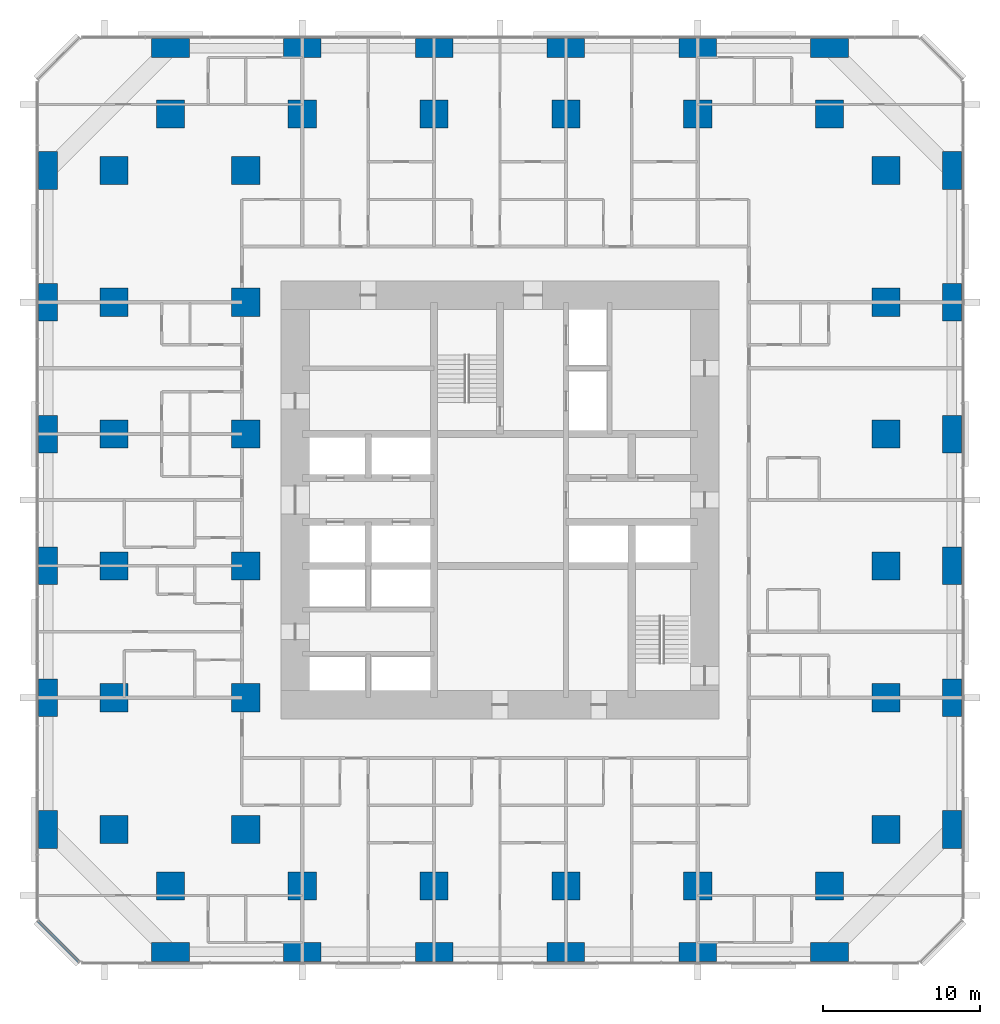
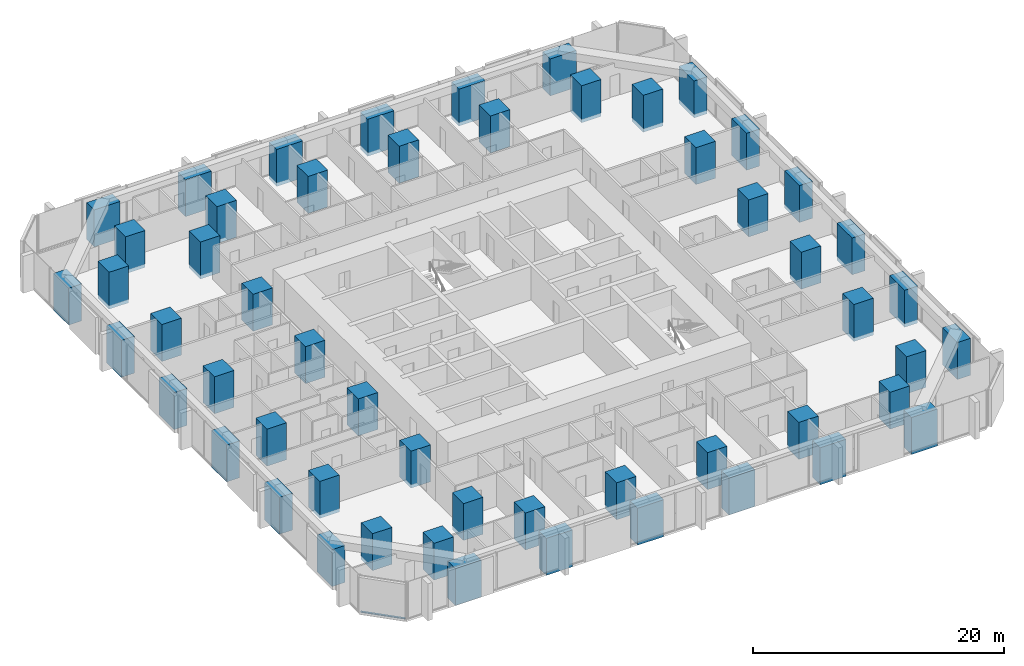
# One storey, part 1 of 17: 54 columns, 1 member, 1 element without a shape of its own.
"""IFC4 building model written with IfcOpenShell, lengths in metres."""

import ifcopenshell
import ifcopenshell.guid

model = None  # the IFC model being written
_history = None  # IfcOwnerHistory: only IFC2X3 demands one
_inside = {}  # id of a spatial element -> (the spatial element, [elements in it])
_under = {}  # id of a project, library or spatial element -> (it, [spatial elements below it])
_declared = {}  # id of a project -> (the project, [libraries it declares])
_typed = {}  # id of a type object -> (the type object, [elements of that type])
_made_of = {}  # id of a material, layer set ... -> (it, [elements and type objects made of it])


def new_model(schema):
    """Start an empty IFC model of exactly this schema.

    Asked for "IFC4X3", IfcOpenShell would pick the latest addendum, in which some entities
    have other attributes; the version numbers below select the first issue.
    IFC2X3 requires an IfcOwnerHistory on every rooted entity: one is made here for all.
    """
    global model, _history
    if schema == "IFC4X3":
        model = ifcopenshell.file(schema_version=(4, 3, 0, 0))
    else:
        model = ifcopenshell.file(schema=schema)
    _inside.clear()
    _under.clear()
    _declared.clear()
    _typed.clear()
    _made_of.clear()
    _history = None
    if model.schema == "IFC2X3":
        org = make("IfcOrganization", Name="unknown")
        user = make(
            "IfcPersonAndOrganization",
            ThePerson=make("IfcPerson", FamilyName="unknown"),
            TheOrganization=org,
        )
        app = make(
            "IfcApplication",
            ApplicationDeveloper=org,
            Version="unknown",
            ApplicationFullName="unknown",
            ApplicationIdentifier="unknown",
        )
        _history = make(
            "IfcOwnerHistory",
            OwningUser=user,
            OwningApplication=app,
            ChangeAction="ADDED",
            CreationDate=0,
        )
    return model


def make(cls, **values):
    """One entity of the class cls with the attributes given. An attribute that is None is left unset."""
    return model.create_entity(
        cls, **{name: value for name, value in values.items() if value is not None}
    )


def rooted(cls, **values):
    """An entity with a GlobalId (a new one), such as an element, a storey or a relation."""
    return make(cls, GlobalId=ifcopenshell.guid.new(), OwnerHistory=_history, **values)


def si_unit(unit_type, name, prefix=None):
    """IfcSIUnit, for example si_unit("LENGTHUNIT", "METRE", prefix="MILLI")."""
    return make("IfcSIUnit", UnitType=unit_type, Prefix=prefix, Name=name)


def assignment(units):
    """IfcUnitAssignment: the units of a project."""
    return None if units is None else make("IfcUnitAssignment", Units=units)


def point(xyz):
    """IfcCartesianPoint."""
    return None if xyz is None else make("IfcCartesianPoint", Coordinates=xyz)


def direction(xyz):
    """IfcDirection."""
    return None if xyz is None else make("IfcDirection", DirectionRatios=xyz)


def frame(location, z_axis=None, x_axis=None):
    """IfcAxis2Placement3D, a coordinate frame: its origin and axes. An axis left out is left unset."""
    return make(
        "IfcAxis2Placement3D",
        Location=point(location),
        Axis=direction(z_axis),
        RefDirection=direction(x_axis),
    )


def frame_2d(location, x_axis=None):
    """IfcAxis2Placement2D, a coordinate frame in the plane: its origin and x axis."""
    return make(
        "IfcAxis2Placement2D", Location=point(location), RefDirection=direction(x_axis)
    )


def origin():
    """The frame at (0, 0, 0) with its axes left unset."""
    return frame((0.0, 0.0, 0.0))


def origin_2d():
    """The frame at (0, 0) in the plane with its x axis left unset."""
    return frame_2d((0.0, 0.0))


def place(relative_to, where):
    """IfcLocalPlacement: puts the frame where relative to a parent placement (None: the world)."""
    return make(
        "IfcLocalPlacement", PlacementRelTo=relative_to, RelativePlacement=where
    )


def context(
    kind, dimensions, precision=None, world=None, true_north=None, identifier=None
):
    """IfcGeometricRepresentationContext, for example the 3D "Model" context."""
    return make(
        "IfcGeometricRepresentationContext",
        ContextIdentifier=identifier,
        ContextType=kind,
        CoordinateSpaceDimension=dimensions,
        Precision=precision,
        WorldCoordinateSystem=world,
        TrueNorth=true_north,
    )


def subcontext(parent, identifier, kind, view, scale=None):
    """IfcGeometricRepresentationSubContext, for example "Body" below "Model"."""
    return make(
        "IfcGeometricRepresentationSubContext",
        ContextIdentifier=identifier,
        ContextType=kind,
        ParentContext=parent,
        TargetScale=scale,
        TargetView=view,
    )


def project(units=None, contexts=None):
    """IfcProject with its units and contexts."""
    return rooted(
        "IfcProject",
        Name="project",
        RepresentationContexts=contexts,
        UnitsInContext=assignment(units),
    )


def spatial(cls, under=None, at=None, **own):
    """A site, building, storey or space (cls), placed at a placement, below another one or the project."""
    s = rooted(cls, ObjectPlacement=at, **own)
    if under is not None:
        _under.setdefault(under.id(), (under, []))[1].append(s)
    return s


def profile(cls, at=None, kind="AREA", **sizes):
    """A parametric profile (cls). Its sizes go by their IFC names, for example OverallWidth=200.0."""
    return make(cls, ProfileType=kind, Position=at, **sizes)


def rectangle(**sizes):
    """IfcRectangleProfileDef."""
    return profile("IfcRectangleProfileDef", **sizes)


def extrude(swept, where, along, depth):
    """IfcExtrudedAreaSolid: the profile swept, set in the frame where, extruded along a direction by depth."""
    return make(
        "IfcExtrudedAreaSolid",
        SweptArea=swept,
        Position=where,
        ExtrudedDirection=direction(along),
        Depth=depth,
    )


def shape(context_of_items, identifier, shape_type, items):
    """IfcShapeRepresentation: the items that make up one representation, for example the "Body"."""
    return make(
        "IfcShapeRepresentation",
        ContextOfItems=context_of_items,
        RepresentationIdentifier=identifier,
        RepresentationType=shape_type,
        Items=items,
    )


def material(Name=None, Category=None):
    """IfcMaterial."""
    return make("IfcMaterial", Name=Name, Category=Category)


def material_profile(
    of_material, cross_section, Name=None, Category=None, Priority=None
):
    """IfcMaterialProfile: a cross section and its material."""
    return make(
        "IfcMaterialProfile",
        Name=Name,
        Material=of_material,
        Profile=cross_section,
        Priority=Priority,
        Category=Category,
    )


def profile_set(profiles, Name=None, composite=None):
    """IfcMaterialProfileSet."""
    return make(
        "IfcMaterialProfileSet",
        Name=Name,
        MaterialProfiles=profiles,
        CompositeProfile=composite,
    )


def made_of(thing, what):
    """Note that an element or type object is made of a material, layer set ...; save() writes the relation."""
    if what is not None:
        _made_of.setdefault(what.id(), (what, []))[1].append(thing)
    return thing


def type_object(cls, material=None, **own):
    """A type object (cls), such as IfcWallType, which elements share."""
    return made_of(rooted(cls, **own), material)


def element(
    cls,
    number,
    at=None,
    inside=None,
    cuts=None,
    type_object=None,
    material=None,
    context=None,
    identifier="Body",
    shape_type=None,
    held_by="IfcProductDefinitionShape",
    body=None,
    shapes=None,
    **own,
):
    """One element of the class cls, such as IfcWall. Its Tag is "e" and its number.

    at: its placement. inside: the storey or other place that contains it. cuts: it is an
    opening in that element (IfcRelVoidsElement). A single representation is given by context,
    identifier, shape_type and body (its items); several are given by shapes. held_by: the class
    of the entity that holds the representations. save() writes the other relations.
    """
    e = rooted(cls, Tag="e%d" % number, ObjectPlacement=at, **own)
    if body is not None:
        shapes = [shape(context, identifier, shape_type, body)]
    if shapes is not None:
        e.Representation = make(held_by, Representations=shapes)
    if inside is not None:
        _inside.setdefault(inside.id(), (inside, []))[1].append(e)
    if cuts is not None:
        rooted(
            "IfcRelVoidsElement", RelatingBuildingElement=cuts, RelatedOpeningElement=e
        )
    if type_object is not None:
        _typed.setdefault(type_object.id(), (type_object, []))[1].append(e)
    return made_of(e, material)


def aggregate(whole, parts):
    """IfcRelAggregates: a whole, such as a stair, and the parts it consists of."""
    return rooted("IfcRelAggregates", RelatingObject=whole, RelatedObjects=parts)


def save(model, path):
    """Write the relations noted so far, then the file.

    IfcRelAggregates (storeys below a building ...), IfcRelContainedInSpatialStructure (elements
    in a storey), IfcRelDefinesByType, IfcRelAssociatesMaterial and IfcRelDeclares: one each for
    every whole, place, type object, material and project.
    """
    for whole, parts in _under.values():
        aggregate(whole, parts)
    for where, things in _inside.values():
        rooted(
            "IfcRelContainedInSpatialStructure",
            RelatedElements=things,
            RelatingStructure=where,
        )
    for kind, things in _typed.values():
        rooted("IfcRelDefinesByType", RelatedObjects=things, RelatingType=kind)
    for what, things in _made_of.values():
        rooted("IfcRelAssociatesMaterial", RelatedObjects=things, RelatingMaterial=what)
    for by, libraries in _declared.values():
        rooted("IfcRelDeclares", RelatingContext=by, RelatedDefinitions=libraries)
    model.write(path)


model = new_model("IFC4")

# Units and contexts
model_context = context("Model", 3, precision=1e-05, world=origin(), true_north=direction((0.0, 1.0)))
body_context = subcontext(model_context, "Body", "Model", "MODEL_VIEW")
ifc_project = project(units=[si_unit("LENGTHUNIT", "METRE"), si_unit("AREAUNIT", "SQUARE_METRE"), si_unit("VOLUMEUNIT", "CUBIC_METRE"), si_unit("PLANEANGLEUNIT", "RADIAN"), si_unit("MASSUNIT", "GRAM", prefix="KILO")], contexts=[model_context])

# Site, building, storey
site_placement = place(None, origin())
site = spatial("IfcSite", under=ifc_project, at=site_placement, CompositionType="ELEMENT")
building_placement = place(site_placement, origin())
building = spatial("IfcBuilding", under=site, at=building_placement, Name="Dunama Terrace Hotel", CompositionType="ELEMENT")
storey_placement = place(building_placement, frame((0.0, 0.0, 45.0)))
storey = spatial("IfcBuildingStorey", under=building, at=storey_placement, Name="L10", CompositionType="ELEMENT", Elevation=45.0)

# Columns
ifc_material_1 = material(Name="Concrete C60/75", Category="concrete")
ifc_material_profile_1 = material_profile(ifc_material_1, rectangle(XDim=1.199951171875, YDim=2.39990234375, at=origin_2d()), Name="RC 1200x2400")
ifc_profile_set_1 = profile_set([ifc_material_profile_1], Name="Concrete C60/75")
column_type_1 = type_object("IfcColumnType", Name="Column RC 1200x2400", PredefinedType="COLUMN", material=ifc_profile_set_1)
for number, where, z_axis, x_axis, name in (
    (1, (0.60009765625, 8.39990234375, -0.35009765625), (0.0, 0.0, 1.0), (1.0, 0.0, 0.0), "Column L10 +0.6/+8.4"),
    (2, (0.60009765625, 16.800048828125, -0.35009765625), (0.0, 0.0, 1.0), (1.0, 0.0, 0.0), "Column L10 +0.6/+16.8"),
    (3, (0.60009765625, 25.199951171875, -0.35009765625), (0.0, 0.0, 1.0), (1.0, 0.0, 0.0), "Column L10 +0.6/+25.2"),
    (4, (0.60009765625, 33.60009765625, -0.35009765625), (0.0, 0.0, 1.0), (1.0, 0.0, 0.0), "Column L10 +0.6/+33.6"),
    (5, (0.60009765625, 42.0, -0.35009765625), (0.0, 0.0, 1.0), (1.0, 0.0, 0.0), "Column L10 +0.6/+42.0"),
    (6, (0.60009765625, 50.39990234375, -0.35009765625), (0.0, 0.0, 1.0), (1.0, 0.0, 0.0), "Column L10 +0.6/+50.4"),
    (7, (58.199951171875, 8.39990234375, -0.35009765625), (0.0, 0.0, 1.0), (1.0, 0.0, 0.0), "Column L10 +58.2/+8.4"),
    (8, (58.199951171875, 16.800048828125, -0.35009765625), (0.0, 0.0, 1.0), (1.0, 0.0, 0.0), "Column L10 +58.2/+16.8"),
    (9, (58.199951171875, 25.199951171875, -0.35009765625), (0.0, 0.0, 1.0), (1.0, 0.0, 0.0), "Column L10 +58.2/+25.2"),
    (10, (58.199951171875, 33.60009765625, -0.35009765625), (0.0, 0.0, 1.0), (1.0, 0.0, 0.0), "Column L10 +58.2/+33.6"),
    (11, (58.199951171875, 42.0, -0.35009765625), (0.0, 0.0, 1.0), (1.0, 0.0, 0.0), "Column L10 +58.2/+42.0"),
    (12, (58.199951171875, 50.39990234375, -0.35009765625), (0.0, 0.0, 1.0), (1.0, 0.0, 0.0), "Column L10 +58.2/+50.4"),
):
    element("IfcColumn", number, at=place(storey_placement, frame(where, z_axis=z_axis, x_axis=x_axis)), inside=storey, type_object=column_type_1, Name=name, PredefinedType="COLUMN", context=body_context, shape_type="SweptSolid", body=[
        extrude(rectangle(XDim=1.199951171875, YDim=2.39990234375, at=origin_2d()), origin(), (0.0, 0.0, 1.0), 3.60009765625),
    ])
ifc_material_2 = material(Name="Concrete C60/75", Category="concrete")
ifc_material_profile_2 = material_profile(ifc_material_2, rectangle(XDim=1.800048828125, YDim=1.800048828125, at=origin_2d()), Name="RC 1800x1800")
ifc_profile_set_2 = profile_set([ifc_material_profile_2], Name="Concrete C60/75")
column_type_2 = type_object("IfcColumnType", Name="Column RC 1800x1800", PredefinedType="COLUMN", material=ifc_profile_set_2)
for number, where, z_axis, x_axis, name in (
    (13, (4.800048828125, 8.39990234375, -0.35009765625), (0.0, 0.0, 1.0), (1.0, 0.0, 0.0), "Column L10 +4.8/+8.4"),
    (14, (4.800048828125, 16.800048828125, -0.35009765625), (0.0, 0.0, 1.0), (1.0, 0.0, 0.0), "Column L10 +4.8/+16.8"),
    (15, (4.800048828125, 25.199951171875, -0.35009765625), (0.0, 0.0, 1.0), (1.0, 0.0, 0.0), "Column L10 +4.8/+25.2"),
    (16, (4.800048828125, 33.60009765625, -0.35009765625), (0.0, 0.0, 1.0), (1.0, 0.0, 0.0), "Column L10 +4.8/+33.6"),
    (17, (4.800048828125, 42.0, -0.35009765625), (0.0, 0.0, 1.0), (1.0, 0.0, 0.0), "Column L10 +4.8/+42.0"),
    (18, (4.800048828125, 50.39990234375, -0.35009765625), (0.0, 0.0, 1.0), (1.0, 0.0, 0.0), "Column L10 +4.8/+50.4"),
    (19, (8.39990234375, 4.800048828125, -0.35009765625), (0.0, 0.0, 1.0), (1.0, 0.0, 0.0), "Column L10 +8.4/+4.8"),
    (20, (8.39990234375, 54.0, -0.35009765625), (0.0, 0.0, 1.0), (1.0, 0.0, 0.0), "Column L10 +8.4/+54.0"),
    (21, (13.199951171875, 8.39990234375, -0.35009765625), (0.0, 0.0, 1.0), (1.0, 0.0, 0.0), "Column L10 +13.2/+8.4"),
    (22, (13.199951171875, 16.800048828125, -0.35009765625), (0.0, 0.0, 1.0), (1.0, 0.0, 0.0), "Column L10 +13.2/+16.8"),
    (23, (13.199951171875, 25.199951171875, -0.35009765625), (0.0, 0.0, 1.0), (1.0, 0.0, 0.0), "Column L10 +13.2/+25.2"),
    (24, (13.199951171875, 33.60009765625, -0.35009765625), (0.0, 0.0, 1.0), (1.0, 0.0, 0.0), "Column L10 +13.2/+33.6"),
    (25, (13.199951171875, 42.0, -0.35009765625), (0.0, 0.0, 1.0), (1.0, 0.0, 0.0), "Column L10 +13.2/+42.0"),
    (26, (13.199951171875, 50.39990234375, -0.35009765625), (0.0, 0.0, 1.0), (1.0, 0.0, 0.0), "Column L10 +13.2/+50.4"),
    (27, (16.800048828125, 4.800048828125, -0.35009765625), (0.0, 0.0, 1.0), (1.0, 0.0, 0.0), "Column L10 +16.8/+4.8"),
    (28, (16.800048828125, 54.0, -0.35009765625), (0.0, 0.0, 1.0), (1.0, 0.0, 0.0), "Column L10 +16.8/+54.0"),
    (29, (25.199951171875, 4.800048828125, -0.35009765625), (0.0, 0.0, 1.0), (1.0, 0.0, 0.0), "Column L10 +25.2/+4.8"),
    (30, (25.199951171875, 54.0, -0.35009765625), (0.0, 0.0, 1.0), (1.0, 0.0, 0.0), "Column L10 +25.2/+54.0"),
    (31, (33.60009765625, 4.800048828125, -0.35009765625), (0.0, 0.0, 1.0), (1.0, 0.0, 0.0), "Column L10 +33.6/+4.8"),
    (32, (33.60009765625, 54.0, -0.35009765625), (0.0, 0.0, 1.0), (1.0, 0.0, 0.0), "Column L10 +33.6/+54.0"),
    (33, (42.0, 4.800048828125, -0.35009765625), (0.0, 0.0, 1.0), (1.0, 0.0, 0.0), "Column L10 +42.0/+4.8"),
    (34, (42.0, 54.0, -0.35009765625), (0.0, 0.0, 1.0), (1.0, 0.0, 0.0), "Column L10 +42.0/+54.0"),
    (35, (50.39990234375, 4.800048828125, -0.35009765625), (0.0, 0.0, 1.0), (1.0, 0.0, 0.0), "Column L10 +50.4/+4.8"),
    (36, (50.39990234375, 54.0, -0.35009765625), (0.0, 0.0, 1.0), (1.0, 0.0, 0.0), "Column L10 +50.4/+54.0"),
    (37, (54.0, 8.39990234375, -0.35009765625), (0.0, 0.0, 1.0), (1.0, 0.0, 0.0), "Column L10 +54.0/+8.4"),
    (38, (54.0, 16.800048828125, -0.35009765625), (0.0, 0.0, 1.0), (1.0, 0.0, 0.0), "Column L10 +54.0/+16.8"),
    (39, (54.0, 25.199951171875, -0.35009765625), (0.0, 0.0, 1.0), (1.0, 0.0, 0.0), "Column L10 +54.0/+25.2"),
    (40, (54.0, 33.60009765625, -0.35009765625), (0.0, 0.0, 1.0), (1.0, 0.0, 0.0), "Column L10 +54.0/+33.6"),
    (41, (54.0, 42.0, -0.35009765625), (0.0, 0.0, 1.0), (1.0, 0.0, 0.0), "Column L10 +54.0/+42.0"),
    (42, (54.0, 50.39990234375, -0.35009765625), (0.0, 0.0, 1.0), (1.0, 0.0, 0.0), "Column L10 +54.0/+50.4"),
):
    element("IfcColumn", number, at=place(storey_placement, frame(where, z_axis=z_axis, x_axis=x_axis)), inside=storey, type_object=column_type_2, Name=name, PredefinedType="COLUMN", context=body_context, shape_type="SweptSolid", body=[
        extrude(rectangle(XDim=1.800048828125, YDim=1.800048828125, at=origin_2d()), origin(), (0.0, 0.0, 1.0), 3.60009765625),
    ])
ifc_material_3 = material(Name="Concrete C60/75", Category="concrete")
ifc_material_profile_3 = material_profile(ifc_material_3, rectangle(XDim=2.39990234375, YDim=1.199951171875, at=origin_2d()), Name="RC 2400x1200")
ifc_profile_set_3 = profile_set([ifc_material_profile_3], Name="Concrete C60/75")
column_type_3 = type_object("IfcColumnType", Name="Column RC 2400x1200", PredefinedType="COLUMN", material=ifc_profile_set_3)
for number, where, z_axis, x_axis, name in (
    (43, (8.39990234375, 0.60009765625, -0.35009765625), (0.0, 0.0, 1.0), (1.0, 0.0, 0.0), "Column L10 +8.4/+0.6"),
    (44, (8.39990234375, 58.199951171875, -0.35009765625), (0.0, 0.0, 1.0), (1.0, 0.0, 0.0), "Column L10 +8.4/+58.2"),
    (45, (16.800048828125, 0.60009765625, -0.35009765625), (0.0, 0.0, 1.0), (1.0, 0.0, 0.0), "Column L10 +16.8/+0.6"),
    (46, (16.800048828125, 58.199951171875, -0.35009765625), (0.0, 0.0, 1.0), (1.0, 0.0, 0.0), "Column L10 +16.8/+58.2"),
    (47, (25.199951171875, 0.60009765625, -0.35009765625), (0.0, 0.0, 1.0), (1.0, 0.0, 0.0), "Column L10 +25.2/+0.6"),
    (48, (25.199951171875, 58.199951171875, -0.35009765625), (0.0, 0.0, 1.0), (1.0, 0.0, 0.0), "Column L10 +25.2/+58.2"),
    (49, (33.60009765625, 0.60009765625, -0.35009765625), (0.0, 0.0, 1.0), (1.0, 0.0, 0.0), "Column L10 +33.6/+0.6"),
    (50, (33.60009765625, 58.199951171875, -0.35009765625), (0.0, 0.0, 1.0), (1.0, 0.0, 0.0), "Column L10 +33.6/+58.2"),
    (51, (42.0, 0.60009765625, -0.35009765625), (0.0, 0.0, 1.0), (1.0, 0.0, 0.0), "Column L10 +42.0/+0.6"),
    (52, (42.0, 58.199951171875, -0.35009765625), (0.0, 0.0, 1.0), (1.0, 0.0, 0.0), "Column L10 +42.0/+58.2"),
    (53, (50.39990234375, 0.60009765625, -0.35009765625), (0.0, 0.0, 1.0), (1.0, 0.0, 0.0), "Column L10 +50.4/+0.6"),
    (54, (50.39990234375, 58.199951171875, -0.35009765625), (0.0, 0.0, 1.0), (1.0, 0.0, 0.0), "Column L10 +50.4/+58.2"),
):
    element("IfcColumn", number, at=place(storey_placement, frame(where, z_axis=z_axis, x_axis=x_axis)), inside=storey, type_object=column_type_3, Name=name, PredefinedType="COLUMN", context=body_context, shape_type="SweptSolid", body=[
        extrude(rectangle(XDim=2.39990234375, YDim=1.199951171875, at=origin_2d()), origin(), (0.0, 0.0, 1.0), 3.60009765625),
    ])

# Curtain wall, member
ifc_material_4 = material(Name="Aluminium curtain wall system", Category="aluminium")
curtain_wall_type = type_object("IfcCurtainWallType", Name="Unitised fritted glass wall CW-A", PredefinedType="NOTDEFINED", material=ifc_material_4)
curtain_wall_placement = place(storey_placement, origin())
curtain_wall = element("IfcCurtainWall", 55, at=curtain_wall_placement, inside=storey, type_object=curtain_wall_type, Name="Unitised fritted glass wall CW-A L10", PredefinedType="NOTDEFINED")
ifc_material_5 = material(Name="Aluminium transom", Category="aluminium")
ifc_material_profile_4 = material_profile(ifc_material_5, rectangle(XDim=0.179931640625, YDim=0.074951171875, at=origin_2d()), Name="CWA TRANSOM 180X75")
ifc_profile_set_4 = profile_set([ifc_material_profile_4], Name="Aluminium transom")
member_type = type_object("IfcMemberType", Name="CWA transom 180x75", PredefinedType="USERDEFINED", material=ifc_profile_set_4)
member_placement = place(storey_placement, frame((-0.02490234375, 2.5830078125, 0.03759765625), z_axis=(0.707106781187, -0.707106781187, 0.0), x_axis=(0.707106781187, 0.707106781187, 0.0)))
member = element("IfcMember", 56, at=member_placement, type_object=member_type, Name="CWA transom", ObjectType="TRANSOM", PredefinedType="USERDEFINED", context=body_context, shape_type="SweptSolid", body=[
    extrude(rectangle(XDim=0.179931640625, YDim=0.074951171875, at=origin_2d()), origin(), (0.0, 0.0, 1.0), 3.688232421875),
])
aggregate(curtain_wall, [member])

save(model, "model.ifc")
